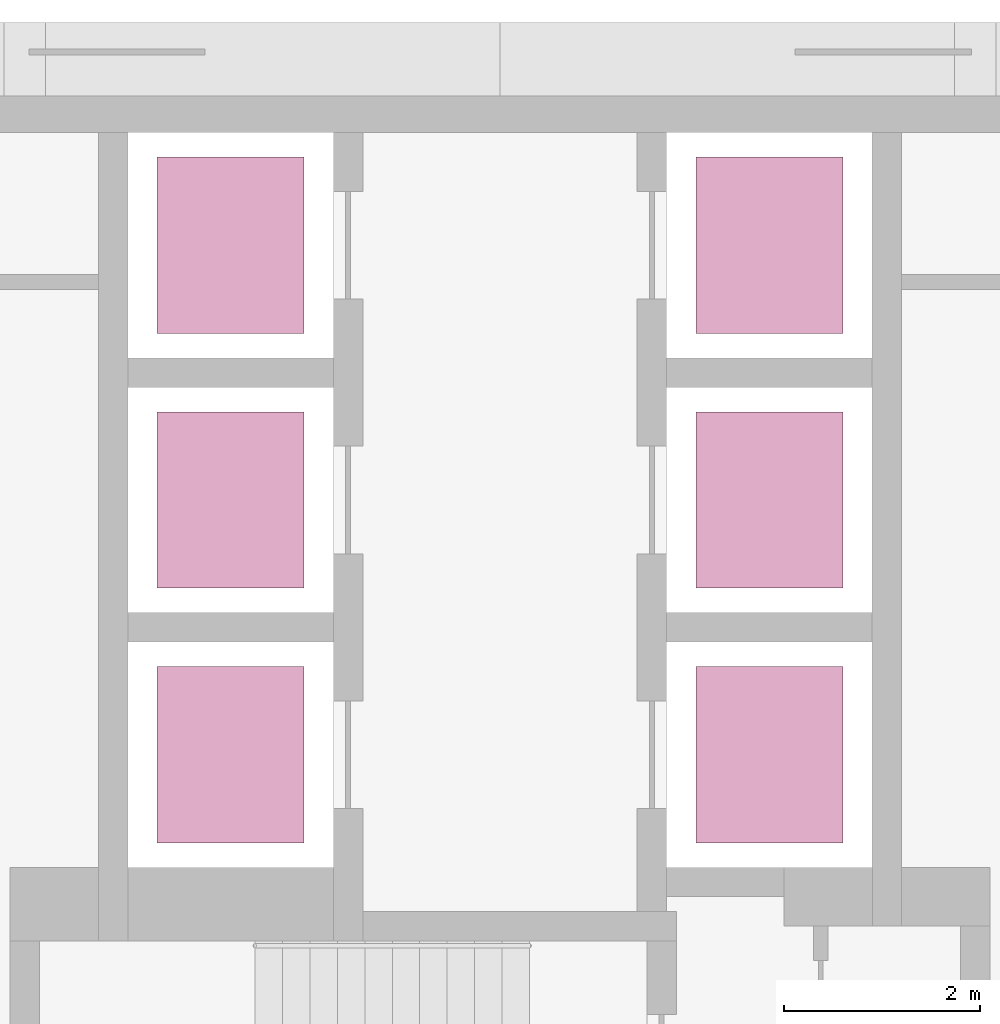
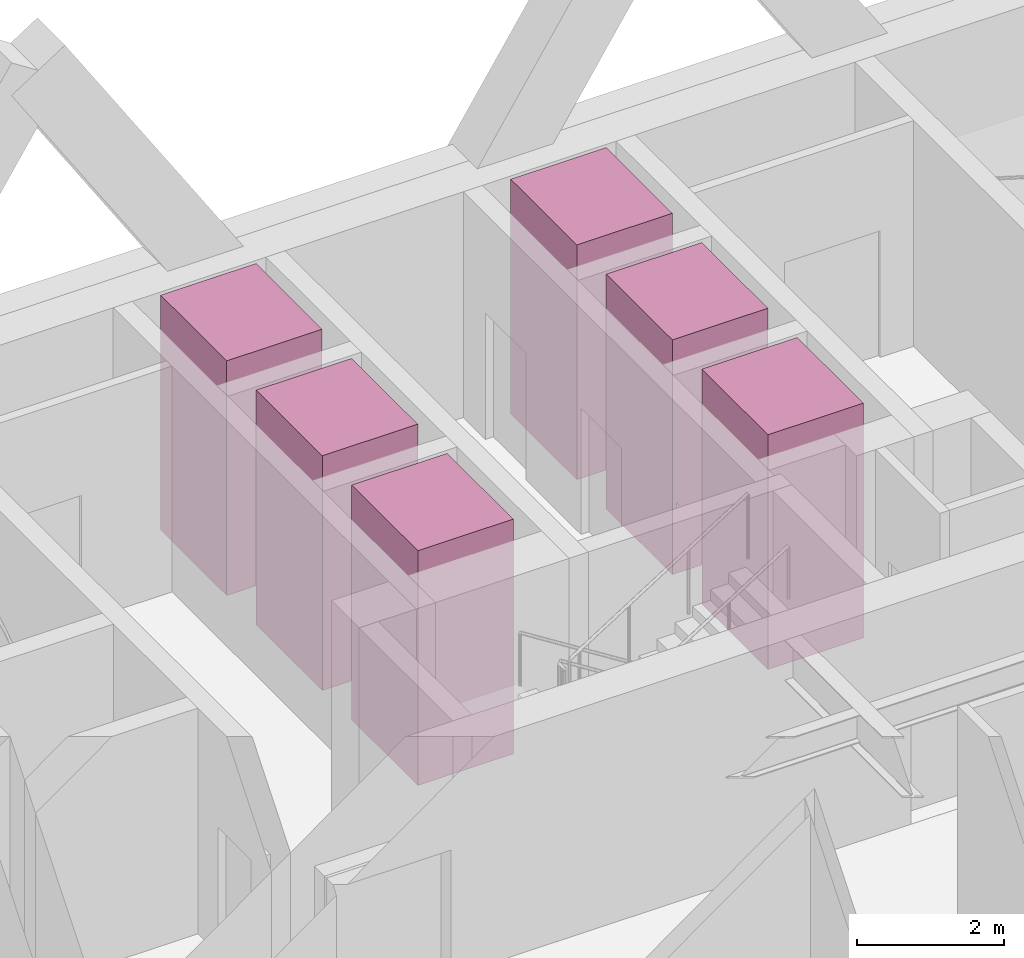
# One storey, part 8 of 8: 6 transport elements.
"""IFC4 building model written with IfcOpenShell, lengths in metres."""

from ifc_helpers import new_model, si_unit, direction, frame, origin, origin_2d, place, context, subcontext, project, spatial, rectangle, extrude, material, type_object, element, save


model = new_model("IFC4")

# Units and contexts
model_context = context("Model", 3, precision=1e-05, world=origin(), true_north=direction((0.0, 1.0)))
body_context = subcontext(model_context, "Body", "Model", "MODEL_VIEW")
ifc_project = project(units=[si_unit("LENGTHUNIT", "METRE"), si_unit("AREAUNIT", "SQUARE_METRE"), si_unit("VOLUMEUNIT", "CUBIC_METRE"), si_unit("PLANEANGLEUNIT", "RADIAN"), si_unit("MASSUNIT", "GRAM", prefix="KILO")], contexts=[model_context])

# Site, building, storey
site_placement = place(None, origin())
site = spatial("IfcSite", under=ifc_project, at=site_placement, CompositionType="ELEMENT")
building_placement = place(site_placement, origin())
building = spatial("IfcBuilding", under=site, at=building_placement, Name="Aloe Facet Convention Tower", CompositionType="ELEMENT")
storey_placement = place(building_placement, frame((0.0, 0.0, 128.60009765625)))
storey = spatial("IfcBuildingStorey", under=building, at=storey_placement, Name="L32", CompositionType="ELEMENT", Elevation=128.60009765625)

# Transport elements
ifc_material = material(Name="Stainless steel lift car", Category="steel")
transport_element_type = type_object("IfcTransportElementType", Name="CR-LIFT-B-1800x1500", PredefinedType="ELEVATOR", material=ifc_material)
for number, where, z_axis, x_axis, name in (
    (1, (77.25, 132.800048828125, 0.0), (0.0, 0.0, 1.0), (1.0, 0.0, 0.0), "Lift B1"),
    (2, (77.25, 130.199951171875, 0.0), (0.0, 0.0, 1.0), (1.0, 0.0, 0.0), "Lift B2"),
    (3, (77.25, 127.60009765625, 0.0), (0.0, 0.0, 1.0), (1.0, 0.0, 0.0), "Lift B3"),
    (4, (82.75, 132.800048828125, 0.0), (0.0, 0.0, 1.0), (1.0, 0.0, 0.0), "Lift B4"),
    (5, (82.75, 130.199951171875, 0.0), (0.0, 0.0, 1.0), (1.0, 0.0, 0.0), "Lift B5"),
    (6, (82.75, 127.60009765625, 0.0), (0.0, 0.0, 1.0), (1.0, 0.0, 0.0), "Lift B6"),
):
    element("IfcTransportElement", number, at=place(storey_placement, frame(where, z_axis=z_axis, x_axis=x_axis)), inside=storey, type_object=transport_element_type, Name=name, PredefinedType="ELEVATOR", context=body_context, shape_type="SweptSolid", body=[
        extrude(rectangle(XDim=1.5, YDim=1.800048828125, at=origin_2d()), origin(), (0.0, 0.0, 1.0), 3.89990234375),
    ])

save(model, "model.ifc")
